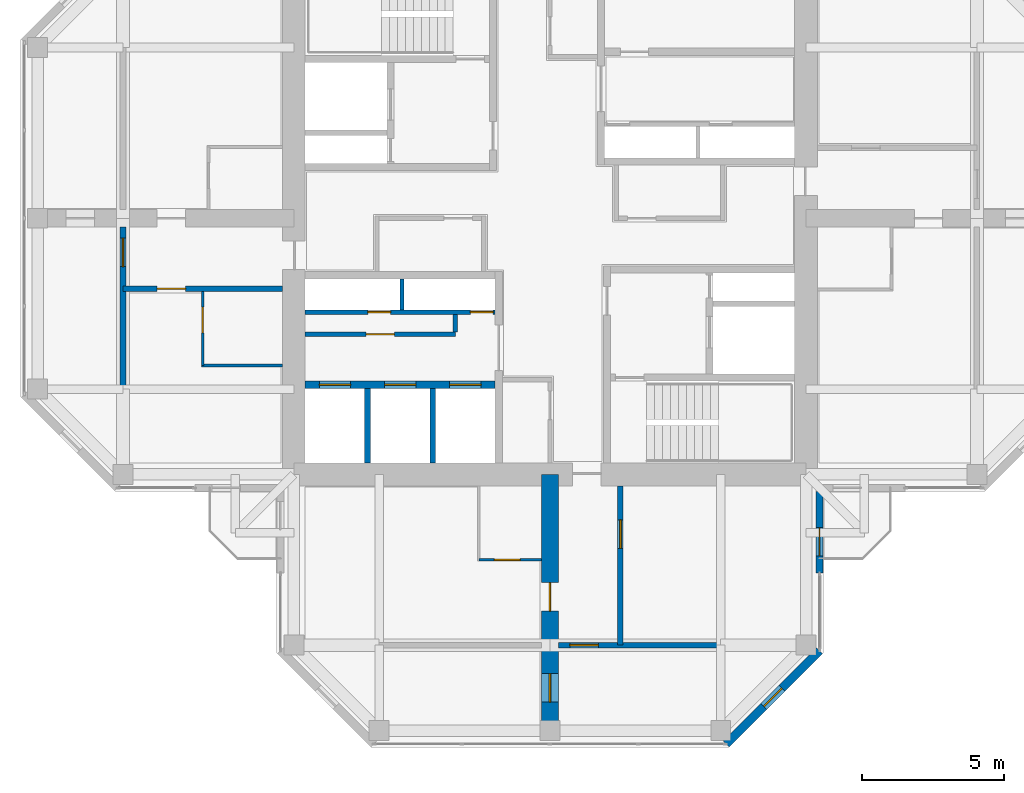
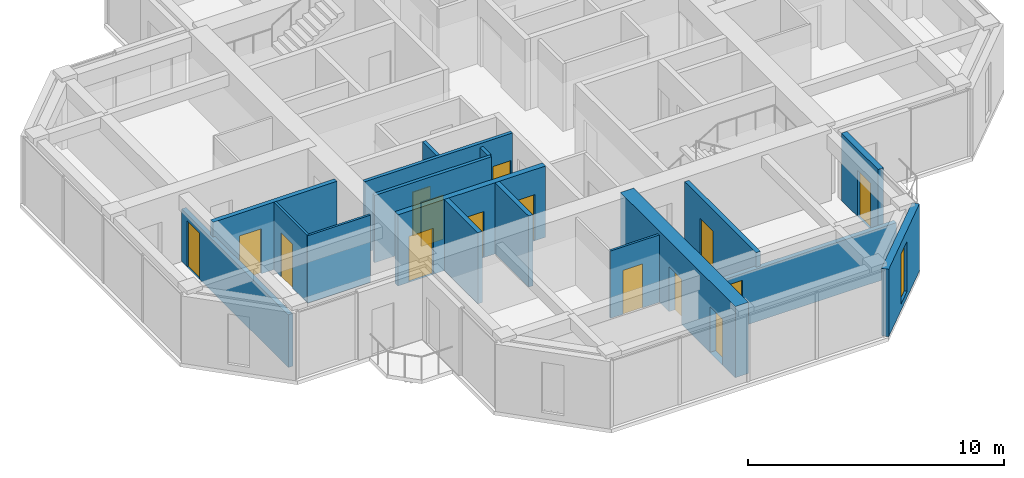
# One storey, part 8 of 13: 17 walls, 15 doors, 1 window, 16 openings.
"""IFC4 building model written with IfcOpenShell, lengths in metres."""

from ifc_helpers import new_model, si_unit, direction, frame, frame_2d, origin, place, context, subcontext, project, spatial, rectangle, hollow_rectangle, extrude, material, layer, layer_set, constituent, constituent_set, type_object, element, fill, save


model = new_model("IFC4")

# Units and contexts
model_context = context("Model", 3, precision=1e-05, world=origin(), true_north=direction((0.0, 1.0)))
body_context = subcontext(model_context, "Body", "Model", "MODEL_VIEW")
ifc_project = project(units=[si_unit("LENGTHUNIT", "METRE"), si_unit("AREAUNIT", "SQUARE_METRE"), si_unit("VOLUMEUNIT", "CUBIC_METRE"), si_unit("PLANEANGLEUNIT", "RADIAN"), si_unit("MASSUNIT", "GRAM", prefix="KILO")], contexts=[model_context])

# Site, building, storey
site_placement = place(None, origin())
site = spatial("IfcSite", under=ifc_project, at=site_placement, CompositionType="ELEMENT")
building_placement = place(site_placement, origin())
building = spatial("IfcBuilding", under=site, at=building_placement, Name="Torre Cruceta", CompositionType="ELEMENT")
storey_placement = place(building_placement, frame((0.0, 0.0, 274.699951171875)))
storey = spatial("IfcBuildingStorey", under=building, at=storey_placement, Name="L71", CompositionType="ELEMENT", Elevation=274.699951171875)

# Wall, opening, door
ifc_material_1 = material(Name="Water-resistant plasterboard on steel studs", Category="steel")
ifc_layer_1 = layer(ifc_material_1, 0.10009765625)
ifc_layer_set_1 = layer_set([ifc_layer_1], Name="Water-resistant plasterboard on steel studs")
wall_type_1 = type_object("IfcWallType", Name="BATHROOM WALL 100", PredefinedType="PARTITIONING", material=ifc_layer_set_1)
wall_1_placement = place(storey_placement, frame((-2.5, -12.0, 0.0), z_axis=(0.0, 0.0, 1.0), x_axis=(1.0, 0.0, 0.0)))
wall_1 = element("IfcWall", 1, at=wall_1_placement, inside=storey, type_object=wall_type_1, Name="PT4 L71-S-U1RBS", PredefinedType="PARTITIONING", context=body_context, shape_type="SweptSolid", body=[
    extrude(rectangle(XDim=2.199951171875, YDim=0.10009765625, at=frame_2d((1.10009765625, 0.0))), origin(), (0.0, 0.0, 1.0), 3.219970703125),
])
opening_1_placement = place(wall_1_placement, frame((0.550048828125, 0.0, 0.0)))
opening_1 = element("IfcOpeningElement", 2, at=opening_1_placement, cuts=wall_1, Name="Opening D7", PredefinedType="OPENING", context=body_context, shape_type="SweptSolid", body=[
    extrude(rectangle(XDim=0.89990234375, YDim=2.10009765625, at=frame_2d((0.449951171875, 1.050048828125))), frame((0.0, 0.06005859375, 0.0), z_axis=(0.0, -1.0, 0.0), x_axis=(1.0, 0.0, 0.0)), (0.0, 0.0, 1.0), 0.1201171875),
])
ifc_material_2 = material(Name="Timber door", Category="wood")
door_type_1 = type_object("IfcDoorType", Name="BATHROOM DOOR 900X2100", OperationType="SINGLE_SWING_LEFT", PredefinedType="DOOR", material=ifc_material_2)
door_1_placement = place(opening_1_placement, origin())
door_1 = element("IfcDoor", 3, at=door_1_placement, inside=storey, type_object=door_type_1, Name="D7 L71-S-U1RBS-D1", OperationType="SINGLE_SWING_LEFT", OverallHeight=2.10009765625, OverallWidth=0.89990234375, PredefinedType="DOOR", context=body_context, shape_type="SweptSolid", body=[
    extrude(rectangle(XDim=0.89990234375, YDim=2.10009765625, at=frame_2d((0.449951171875, 1.050048828125))), frame((0.0, 0.02490234375, 0.0), z_axis=(0.0, -1.0, 0.0), x_axis=(1.0, 0.0, 0.0)), (0.0, 0.0, 1.0), 0.050048828125),
])
fill(opening_1, door_1)

# Wall
wall_2_placement = place(storey_placement, frame((-9.39990234375, -5.175048828125, 0.0), z_axis=(0.0, 0.0, 1.0), x_axis=(-1.0, 0.0, 0.0)))
element("IfcWall", 4, at=wall_2_placement, inside=storey, type_object=wall_type_1, Name="PT4 L71-W-U1LBB", PredefinedType="PARTITIONING", context=body_context, shape_type="SweptSolid", body=[
    extrude(rectangle(XDim=2.85009765625, YDim=0.10009765625, at=frame_2d((1.425048828125, 0.0))), origin(), (0.0, 0.0, 1.0), 3.219970703125),
])

# Wall, opening, door
wall_3_placement = place(storey_placement, frame((-12.199951171875, -2.574951171875, 0.0), z_axis=(0.0, 0.0, 1.0), x_axis=(0.0, -1.0, 0.0)))
wall_3 = element("IfcWall", 5, at=wall_3_placement, inside=storey, type_object=wall_type_1, Name="PT4 L71-W-U1LBS", PredefinedType="PARTITIONING", context=body_context, shape_type="SweptSolid", body=[
    extrude(rectangle(XDim=2.60009765625, YDim=0.10009765625, at=frame_2d((1.300048828125, 0.0))), origin(), (0.0, 0.0, 1.0), 3.219970703125),
])
opening_2_placement = place(wall_3_placement, frame((0.550048828125, 0.0, 0.0)))
opening_2 = element("IfcOpeningElement", 6, at=opening_2_placement, cuts=wall_3, Name="Opening D7", PredefinedType="OPENING", context=body_context, shape_type="SweptSolid", body=[
    extrude(rectangle(XDim=0.89990234375, YDim=2.10009765625, at=frame_2d((0.449951171875, 1.050048828125))), frame((0.0, 0.06005859375, 0.0), z_axis=(0.0, -1.0, 0.0), x_axis=(1.0, 0.0, 0.0)), (0.0, 0.0, 1.0), 0.1201171875),
])
door_2_placement = place(opening_2_placement, origin())
door_2 = element("IfcDoor", 7, at=door_2_placement, inside=storey, type_object=door_type_1, Name="D7 L71-W-U1LBS-D1", OperationType="SINGLE_SWING_LEFT", OverallHeight=2.10009765625, OverallWidth=0.89990234375, PredefinedType="DOOR", context=body_context, shape_type="SweptSolid", body=[
    extrude(rectangle(XDim=0.89990234375, YDim=2.10009765625, at=frame_2d((0.449951171875, 1.050048828125))), frame((0.0, 0.02490234375, 0.0), z_axis=(0.0, -1.0, 0.0), x_axis=(1.0, 0.0, 0.0)), (0.0, 0.0, 1.0), 0.050048828125),
])
fill(opening_2, door_2)

# Wall, openings, doors
ifc_material_3 = material(Name="Concrete G60 (fck 60 MPa)", Category="concrete")
ifc_layer_2 = layer(ifc_material_3, 0.25)
ifc_layer_set_2 = layer_set([ifc_layer_2], Name="Concrete G60 (fck 60 MPa)")
wall_type_2 = type_object("IfcWallType", Name="CORE INNER WALL 250 G60", PredefinedType="SHEAR", material=ifc_layer_set_2)
wall_4_placement = place(storey_placement, frame((-1.925048828125, -5.85009765625, 0.0), z_axis=(0.0, 0.0, 1.0), x_axis=(-1.0, 0.0, 0.0)))
wall_4 = element("IfcWall", 8, at=wall_4_placement, inside=storey, type_object=wall_type_2, Name="CW4 L71 SW-LV", PredefinedType="SHEAR", context=body_context, shape_type="SweptSolid", body=[
    extrude(rectangle(XDim=6.675048828125, YDim=0.25, at=frame_2d((3.33740234375, 0.0))), origin(), (0.0, 0.0, 1.0), 3.400146484375),
])
opening_3_placement = place(wall_4_placement, frame((0.495849609375, 0.0, 0.0)))
opening_3 = element("IfcOpeningElement", 9, at=opening_3_placement, cuts=wall_4, Name="Opening LD1", PredefinedType="OPENING", context=body_context, shape_type="SweptSolid", body=[
    extrude(rectangle(XDim=1.10009765625, YDim=2.199951171875, at=frame_2d((0.550048828125, 1.10009765625))), frame((0.0, 0.135009765625, 0.0), z_axis=(0.0, -1.0, 0.0), x_axis=(1.0, 0.0, 0.0)), (0.0, 0.0, 1.0), 0.27001953125),
])
opening_4_placement = place(wall_4_placement, frame((2.78759765625, 0.0, 0.0)))
opening_4 = element("IfcOpeningElement", 10, at=opening_4_placement, cuts=wall_4, Name="Opening LD1", PredefinedType="OPENING", context=body_context, shape_type="SweptSolid", body=[
    extrude(rectangle(XDim=1.10009765625, YDim=2.199951171875, at=frame_2d((0.550048828125, 1.10009765625))), frame((0.0, 0.135009765625, 0.0), z_axis=(0.0, -1.0, 0.0), x_axis=(1.0, 0.0, 0.0)), (0.0, 0.0, 1.0), 0.27001953125),
])
opening_5_placement = place(wall_4_placement, frame((5.0791015625, 0.0, 0.0)))
opening_5 = element("IfcOpeningElement", 11, at=opening_5_placement, cuts=wall_4, Name="Opening LD1", PredefinedType="OPENING", context=body_context, shape_type="SweptSolid", body=[
    extrude(rectangle(XDim=1.10009765625, YDim=2.199951171875, at=frame_2d((0.550048828125, 1.10009765625))), frame((0.0, 0.135009765625, 0.0), z_axis=(0.0, -1.0, 0.0), x_axis=(1.0, 0.0, 0.0)), (0.0, 0.0, 1.0), 0.27001953125),
])
ifc_material_4 = material(Name="Stainless steel 1.4401", Category="steel")
door_type_2 = type_object("IfcDoorType", Name="LIFT LANDING DOOR 1100X2200", OperationType="DOUBLE_DOOR_SLIDING", PredefinedType="DOOR", material=ifc_material_4)
door_3_placement = place(opening_3_placement, origin())
door_3 = element("IfcDoor", 12, at=door_3_placement, inside=storey, type_object=door_type_2, Name="Lift landing door R1", OperationType="DOUBLE_DOOR_SLIDING", OverallHeight=2.199951171875, OverallWidth=1.10009765625, PredefinedType="DOOR", context=body_context, shape_type="SweptSolid", body=[
    extrude(rectangle(XDim=1.10009765625, YDim=2.199951171875, at=frame_2d((0.550048828125, 1.10009765625))), frame((0.0, 0.02490234375, 0.0), z_axis=(0.0, -1.0, 0.0), x_axis=(1.0, 0.0, 0.0)), (0.0, 0.0, 1.0), 0.050048828125),
])
fill(opening_3, door_3)
door_4_placement = place(opening_4_placement, origin())
door_4 = element("IfcDoor", 13, at=door_4_placement, inside=storey, type_object=door_type_2, Name="Lift landing door R2", OperationType="DOUBLE_DOOR_SLIDING", OverallHeight=2.199951171875, OverallWidth=1.10009765625, PredefinedType="DOOR", context=body_context, shape_type="SweptSolid", body=[
    extrude(rectangle(XDim=1.10009765625, YDim=2.199951171875, at=frame_2d((0.550048828125, 1.10009765625))), frame((0.0, 0.02490234375, 0.0), z_axis=(0.0, -1.0, 0.0), x_axis=(1.0, 0.0, 0.0)), (0.0, 0.0, 1.0), 0.050048828125),
])
fill(opening_4, door_4)
door_5_placement = place(opening_5_placement, origin())
door_5 = element("IfcDoor", 14, at=door_5_placement, inside=storey, type_object=door_type_2, Name="Lift landing door R3", OperationType="DOUBLE_DOOR_SLIDING", OverallHeight=2.199951171875, OverallWidth=1.10009765625, PredefinedType="DOOR", context=body_context, shape_type="SweptSolid", body=[
    extrude(rectangle(XDim=1.10009765625, YDim=2.199951171875, at=frame_2d((0.550048828125, 1.10009765625))), frame((0.0, 0.02490234375, 0.0), z_axis=(0.0, -1.0, 0.0), x_axis=(1.0, 0.0, 0.0)), (0.0, 0.0, 1.0), 0.050048828125),
])
fill(opening_5, door_5)

# Wall, opening, door
ifc_material_5 = material(Name="Concrete G25 (fck 25 MPa)", Category="concrete")
ifc_layer_3 = layer(ifc_material_5, 0.199951171875)
ifc_layer_set_3 = layer_set([ifc_layer_3], Name="Concrete G25 (fck 25 MPa)")
wall_type_3 = type_object("IfcWallType", Name="CORRIDOR WALL 200", PredefinedType="SOLIDWALL", material=ifc_layer_set_3)
wall_5_placement = place(storey_placement, frame((2.47509765625, -9.39990234375, 0.0), z_axis=(0.0, 0.0, 1.0), x_axis=(0.0, -1.0, 0.0)))
wall_5 = element("IfcWall", 15, at=wall_5_placement, inside=storey, type_object=wall_type_3, Name="PT3 L71-S-CL", PredefinedType="SOLIDWALL", context=body_context, shape_type="SweptSolid", body=[
    extrude(rectangle(XDim=5.60009765625, YDim=0.199951171875, at=frame_2d((2.800048828125, 0.0))), origin(), (0.0, 0.0, 1.0), 3.219970703125),
])
opening_6_placement = place(wall_5_placement, frame((1.199951171875, 0.0, 0.0)))
opening_6 = element("IfcOpeningElement", 16, at=opening_6_placement, cuts=wall_5, Name="Opening D14", PredefinedType="OPENING", context=body_context, shape_type="SweptSolid", body=[
    extrude(rectangle(XDim=1.0, YDim=2.199951171875, at=frame_2d((0.5, 1.10009765625))), frame((0.0, 0.10986328125, 0.0), z_axis=(0.0, -1.0, 0.0), x_axis=(1.0, 0.0, 0.0)), (0.0, 0.0, 1.0), 0.219970703125),
])
ifc_material_6 = material(Name="Steel DX51D", Category="steel")
ifc_constituent_1 = constituent(ifc_material_6, Name="Leaf and frame")
ifc_material_7 = material(Name="Polyester powder coating", Category="paint")
ifc_constituent_2 = constituent(ifc_material_7, Name="Finish")
ifc_material_8 = material(Name="Fire-resisting glass", Category="glass")
ifc_constituent_3 = constituent(ifc_material_8, Name="Vision panel")
ifc_constituent_set_1 = constituent_set(constituents=[ifc_constituent_1, ifc_constituent_2, ifc_constituent_3], Name="Steel fire door with vision panel")
door_type_3 = type_object("IfcDoorType", Name="FIRE DOOR VISION PANEL 1000X2200", OperationType="SINGLE_SWING_RIGHT", PredefinedType="DOOR", material=ifc_constituent_set_1)
door_6_placement = place(opening_6_placement, origin())
door_6 = element("IfcDoor", 17, at=door_6_placement, inside=storey, type_object=door_type_3, Name="D14 L71-S-CL-D1", OperationType="SINGLE_SWING_LEFT", OverallHeight=2.199951171875, OverallWidth=1.0, PredefinedType="DOOR", context=body_context, shape_type="SweptSolid", body=[
    extrude(rectangle(XDim=1.0, YDim=2.199951171875, at=frame_2d((0.5, 1.10009765625))), frame((0.0, 0.02490234375, 0.0), z_axis=(0.0, -1.0, 0.0), x_axis=(1.0, 0.0, 0.0)), (0.0, 0.0, 1.0), 0.050048828125),
])
fill(opening_6, door_6)

wall_6_placement = place(storey_placement, frame((-9.39990234375, -2.47509765625, 0.0), z_axis=(0.0, 0.0, 1.0), x_axis=(-1.0, 0.0, 0.0)))
wall_6 = element("IfcWall", 18, at=wall_6_placement, inside=storey, type_object=wall_type_3, Name="PT3 L71-W-CL", PredefinedType="SOLIDWALL", context=body_context, shape_type="SweptSolid", body=[
    extrude(rectangle(XDim=5.60009765625, YDim=0.199951171875, at=frame_2d((2.800048828125, 0.0))), origin(), (0.0, 0.0, 1.0), 3.219970703125),
])
opening_7_placement = place(wall_6_placement, frame((3.39990234375, 0.0, 0.0)))
opening_7 = element("IfcOpeningElement", 19, at=opening_7_placement, cuts=wall_6, Name="Opening D6", PredefinedType="OPENING", context=body_context, shape_type="SweptSolid", body=[
    extrude(rectangle(XDim=1.0, YDim=2.14990234375, at=frame_2d((0.5, 1.074951171875))), frame((0.0, 0.10986328125, 0.0), z_axis=(0.0, -1.0, 0.0), x_axis=(1.0, 0.0, 0.0)), (0.0, 0.0, 1.0), 0.219970703125),
])
ifc_material_9 = material(Name="Timber fire door", Category="wood")
door_type_4 = type_object("IfcDoorType", Name="UNIT ENTRANCE DOOR 1000X2150", OperationType="SINGLE_SWING_LEFT", PredefinedType="DOOR", material=ifc_material_9)
door_7_placement = place(opening_7_placement, origin())
door_7 = element("IfcDoor", 20, at=door_7_placement, inside=storey, type_object=door_type_4, Name="D6 L71-W-CL-D1", OperationType="SINGLE_SWING_LEFT", OverallHeight=2.14990234375, OverallWidth=1.0, PredefinedType="DOOR", context=body_context, shape_type="SweptSolid", body=[
    extrude(rectangle(XDim=1.0, YDim=2.14990234375, at=frame_2d((0.5, 1.074951171875))), frame((0.0, 0.02490234375, 0.0), z_axis=(0.0, -1.0, 0.0), x_axis=(1.0, 0.0, 0.0)), (0.0, 0.0, 1.0), 0.050048828125),
])
fill(opening_7, door_7)

# Wall, opening, window
ifc_material_10 = material(Name="Concrete G30 (fck 30 MPa)", Category="concrete")
ifc_layer_4 = layer(ifc_material_10, 0.300048828125)
ifc_layer_set_4 = layer_set([ifc_layer_4], Name="Concrete G30 (fck 30 MPa)")
wall_type_4 = type_object("IfcWallType", Name="EXPOSED CONCRETE FACADE WALL 300", PredefinedType="SOLIDWALL", material=ifc_layer_set_4)
wall_7_placement = place(storey_placement, frame((6.194580078125, -18.469970703125, 0.0), z_axis=(0.0, 0.0, 1.0), x_axis=(0.707106781187, 0.707106781187, 0.0)))
wall_7 = element("IfcWall", 21, at=wall_7_placement, inside=storey, type_object=wall_type_4, Name="EW1 facade wall L71 S chamfer 18", PredefinedType="SOLIDWALL", context=body_context, shape_type="SweptSolid", body=[
    extrude(rectangle(XDim=4.632080078125, YDim=0.300048828125, at=frame_2d((2.31591796875, 0.0))), origin(), (0.0, 0.0, 1.0), 3.219970703125),
])
opening_8_placement = place(wall_7_placement, frame((1.865966796875, 0.0, 0.300048828125)))
opening_8 = element("IfcOpeningElement", 22, at=opening_8_placement, cuts=wall_7, Name="Opening WN5", PredefinedType="OPENING", context=body_context, shape_type="SweptSolid", body=[
    extrude(rectangle(XDim=0.89990234375, YDim=2.39990234375, at=frame_2d((0.449951171875, 1.199951171875))), frame((0.0, 0.159912109375, 0.0), z_axis=(0.0, -1.0, 0.0), x_axis=(1.0, 0.0, 0.0)), (0.0, 0.0, 1.0), 0.320068359375),
])
ifc_material_11 = material(Name="Aluminium window frame", Category="aluminium")
ifc_constituent_4 = constituent(ifc_material_11, Name="Frame")
ifc_material_12 = material(Name="Laminated insulating glass unit, low-iron clear", Category="glass")
ifc_constituent_5 = constituent(ifc_material_12, Name="Glazing")
ifc_constituent_set_2 = constituent_set(constituents=[ifc_constituent_4, ifc_constituent_5], Name="Aluminium window")
window_type = type_object("IfcWindowType", Name="CHAMFER SLOT WINDOW 900X2400", PartitioningType="SINGLE_PANEL", PredefinedType="WINDOW", material=ifc_constituent_set_2)
window_placement = place(opening_8_placement, origin())
window = element("IfcWindow", 23, at=window_placement, inside=storey, type_object=window_type, Name="WN5 L71 S 1", OverallHeight=2.39990234375, OverallWidth=0.89990234375, PartitioningType="SINGLE_PANEL", PredefinedType="WINDOW", context=body_context, shape_type="SweptSolid", body=[
    extrude(hollow_rectangle(XDim=0.89990234375, YDim=2.39990234375, WallThickness=0.06005859375, at=frame_2d((0.449951171875, 1.199951171875))), frame((0.0, 0.030029296875, 0.0), z_axis=(0.0, -1.0, 0.0), x_axis=(1.0, 0.0, 0.0)), (0.0, 0.0, 1.0), 0.06005859375),
    extrude(rectangle(XDim=0.77880859375, YDim=2.27880859375, at=frame_2d((0.449951171875, 1.199951171875))), frame((0.0, 0.030029296875, 0.0), z_axis=(0.0, -1.0, 0.0), x_axis=(1.0, 0.0, 0.0)), (0.0, 0.0, 1.0), 0.06005859375),
])
fill(opening_8, window)

# Walls
ifc_material_13 = material(Name="Concrete G35 (fck 35 MPa)", Category="concrete")
ifc_layer_5 = layer(ifc_material_13, 0.199951171875)
ifc_layer_set_5 = layer_set([ifc_layer_5], Name="Concrete G35 (fck 35 MPa)")
wall_type_5 = type_object("IfcWallType", Name="LIFT SHAFT WALL 200", PredefinedType="PARTITIONING", material=ifc_layer_set_5)
for number, where, z_axis, x_axis, name in (
    (24, (-4.11669921875, -5.97509765625, 0.0), (0.0, 0.0, 1.0), (0.0, -1.0, 0.0), "SW1 L71 SW-LS1"),
    (25, (-6.408447265625, -5.97509765625, 0.0), (0.0, 0.0, 1.0), (0.0, -1.0, 0.0), "SW1 L71 SW-LS2"),
):
    element("IfcWall", number, at=place(storey_placement, frame(where, z_axis=z_axis, x_axis=x_axis)), inside=storey, type_object=wall_type_5, Name=name, PredefinedType="PARTITIONING", context=body_context, shape_type="SweptSolid", body=[
        extrude(rectangle(XDim=2.625, YDim=0.199951171875, at=frame_2d((1.3125, 0.0))), origin(), (0.0, 0.0, 1.0), 3.400146484375),
    ])

# Wall, opening, door
ifc_material_14 = material(Name="Plasterboard on steel studs", Category="steel")
ifc_layer_6 = layer(ifc_material_14, 0.14990234375)
ifc_layer_set_6 = layer_set([ifc_layer_6], Name="Plasterboard on steel studs")
wall_type_6 = type_object("IfcWallType", Name="PARTITION 150", PredefinedType="PARTITIONING", material=ifc_layer_set_6)
wall_8_placement = place(storey_placement, frame((-3.324951171875, -4.074951171875, 0.0), z_axis=(0.0, 0.0, 1.0), x_axis=(-1.0, 0.0, 0.0)))
wall_8 = element("IfcWall", 26, at=wall_8_placement, inside=storey, type_object=wall_type_6, Name="PT1 L71-CORE-SW-CUPBOARD", PredefinedType="PARTITIONING", context=body_context, shape_type="SweptSolid", body=[
    extrude(rectangle(XDim=5.275146484375, YDim=0.14990234375, at=frame_2d((2.6376953125, 0.0))), origin(), (0.0, 0.0, 1.0), 3.219970703125),
])
opening_9_placement = place(wall_8_placement, frame((2.137451171875, 0.0, 0.0)))
opening_9 = element("IfcOpeningElement", 27, at=opening_9_placement, cuts=wall_8, Name="Opening D19", PredefinedType="OPENING", context=body_context, shape_type="SweptSolid", body=[
    extrude(rectangle(XDim=1.0, YDim=2.10009765625, at=frame_2d((0.5, 1.050048828125))), frame((0.0, 0.0849609375, 0.0), z_axis=(0.0, -1.0, 0.0), x_axis=(1.0, 0.0, 0.0)), (0.0, 0.0, 1.0), 0.169921875),
])
ifc_material_15 = material(Name="Timber fire door", Category="wood")
door_type_5 = type_object("IfcDoorType", Name="CUPBOARD PAIR OF DOORS 1000X2100", OperationType="DOUBLE_DOOR_SINGLE_SWING", PredefinedType="DOOR", material=ifc_material_15)
door_8_placement = place(opening_9_placement, frame((1.0, 0.0, 0.0), z_axis=(0.0, 0.0, 1.0), x_axis=(-1.0, 0.0, 0.0)))
door_8 = element("IfcDoor", 28, at=door_8_placement, inside=storey, type_object=door_type_5, Name="D19 L71-CORE-SW-CUPBOARD-D1", OperationType="DOUBLE_DOOR_SINGLE_SWING", OverallHeight=2.10009765625, OverallWidth=1.0, PredefinedType="DOOR", context=body_context, shape_type="SweptSolid", body=[
    extrude(rectangle(XDim=1.0, YDim=2.10009765625, at=frame_2d((0.5, 1.050048828125))), frame((0.0, 0.025146484375, 0.0), z_axis=(0.0, -1.0, 0.0), x_axis=(1.0, 0.0, 0.0)), (0.0, 0.0, 1.0), 0.050048828125),
])
fill(opening_9, door_8)

# Wall
wall_9_placement = place(storey_placement, frame((-3.324951171875, -3.375, 0.0), z_axis=(0.0, 0.0, 1.0), x_axis=(0.0, -1.0, 0.0)))
element("IfcWall", 29, at=wall_9_placement, inside=storey, type_object=wall_type_6, Name="PT1 L71-CORE-SW-CUPBOARDE", PredefinedType="PARTITIONING", context=body_context, shape_type="SweptSolid", body=[
    extrude(rectangle(XDim=0.625, YDim=0.14990234375, at=frame_2d((0.3125, 0.0))), origin(), (0.0, 0.0, 1.0), 3.219970703125),
])

# Wall, openings, doors
ifc_material_16 = material(Name="Concrete block masonry", Category="masonry")
ifc_layer_7 = layer(ifc_material_16, 0.14990234375)
ifc_layer_set_7 = layer_set([ifc_layer_7], Name="Concrete block masonry")
wall_type_7 = type_object("IfcWallType", Name="RISER WALL 150", PredefinedType="PARTITIONING", material=ifc_layer_set_7)
wall_10_placement = place(storey_placement, frame((-1.925048828125, -3.300048828125, 0.0), z_axis=(0.0, 0.0, 1.0), x_axis=(-1.0, 0.0, 0.0)))
wall_10 = element("IfcWall", 30, at=wall_10_placement, inside=storey, type_object=wall_type_7, Name="SW7 L71 SW-RV", PredefinedType="PARTITIONING", context=body_context, shape_type="SweptSolid", body=[
    extrude(rectangle(XDim=6.675048828125, YDim=0.14990234375, at=frame_2d((3.33740234375, 0.0))), origin(), (0.0, 0.0, 1.0), 3.400146484375),
])
opening_10_placement = place(wall_10_placement, frame((0.074951171875, 0.0, 0.0)))
opening_10 = element("IfcOpeningElement", 31, at=opening_10_placement, cuts=wall_10, Name="Opening D5", PredefinedType="OPENING", context=body_context, shape_type="SweptSolid", body=[
    extrude(rectangle(XDim=0.800048828125, YDim=2.10009765625, at=frame_2d((0.39990234375, 1.050048828125))), frame((0.0, 0.0849609375, 0.0), z_axis=(0.0, -1.0, 0.0), x_axis=(1.0, 0.0, 0.0)), (0.0, 0.0, 1.0), 0.169921875),
])
opening_11_placement = place(wall_10_placement, frame((3.675048828125, 0.0, 0.0)))
opening_11 = element("IfcOpeningElement", 32, at=opening_11_placement, cuts=wall_10, Name="Opening D5", PredefinedType="OPENING", context=body_context, shape_type="SweptSolid", body=[
    extrude(rectangle(XDim=0.800048828125, YDim=2.10009765625, at=frame_2d((0.39990234375, 1.050048828125))), frame((0.0, 0.0849609375, 0.0), z_axis=(0.0, -1.0, 0.0), x_axis=(1.0, 0.0, 0.0)), (0.0, 0.0, 1.0), 0.169921875),
])
ifc_material_17 = material(Name="Steel DX51D", Category="steel")
ifc_constituent_6 = constituent(ifc_material_17, Name="Leaf and frame")
ifc_material_18 = material(Name="Polyester powder coating", Category="paint")
ifc_constituent_7 = constituent(ifc_material_18, Name="Finish")
ifc_constituent_set_3 = constituent_set(constituents=[ifc_constituent_6, ifc_constituent_7], Name="Steel fire door")
door_type_6 = type_object("IfcDoorType", Name="RISER ACCESS DOOR 800X2100", OperationType="SINGLE_SWING_LEFT", PredefinedType="DOOR", material=ifc_constituent_set_3)
door_9_placement = place(opening_10_placement, frame((0.800048828125, 0.0, 0.0), z_axis=(0.0, 0.0, 1.0), x_axis=(-1.0, 0.0, 0.0)))
door_9 = element("IfcDoor", 33, at=door_9_placement, inside=storey, type_object=door_type_6, Name="D5 L71 SW-RISER1", OperationType="SINGLE_SWING_RIGHT", OverallHeight=2.10009765625, OverallWidth=0.800048828125, PredefinedType="DOOR", context=body_context, shape_type="SweptSolid", body=[
    extrude(rectangle(XDim=0.800048828125, YDim=2.10009765625, at=frame_2d((0.400146484375, 1.050048828125))), frame((0.0, 0.025146484375, 0.0), z_axis=(0.0, -1.0, 0.0), x_axis=(1.0, 0.0, 0.0)), (0.0, 0.0, 1.0), 0.050048828125),
])
fill(opening_10, door_9)
door_10_placement = place(opening_11_placement, frame((0.800048828125, 0.0, 0.0), z_axis=(0.0, 0.0, 1.0), x_axis=(-1.0, 0.0, 0.0)))
door_10 = element("IfcDoor", 34, at=door_10_placement, inside=storey, type_object=door_type_6, Name="D5 L71 SW-RISER2", OperationType="SINGLE_SWING_RIGHT", OverallHeight=2.10009765625, OverallWidth=0.800048828125, PredefinedType="DOOR", context=body_context, shape_type="SweptSolid", body=[
    extrude(rectangle(XDim=0.800048828125, YDim=2.10009765625, at=frame_2d((0.400146484375, 1.050048828125))), frame((0.0, 0.025146484375, 0.0), z_axis=(0.0, -1.0, 0.0), x_axis=(1.0, 0.0, 0.0)), (0.0, 0.0, 1.0), 0.050048828125),
])
fill(opening_11, door_10)

# Wall
wall_11_placement = place(storey_placement, frame((-5.199951171875, -2.125, 0.0), z_axis=(0.0, 0.0, 1.0), x_axis=(0.0, -1.0, 0.0)))
element("IfcWall", 35, at=wall_11_placement, inside=storey, type_object=wall_type_7, Name="SW7 L71 SW-RU", PredefinedType="PARTITIONING", context=body_context, shape_type="SweptSolid", body=[
    extrude(rectangle(XDim=1.10009765625, YDim=0.14990234375, at=frame_2d((0.550048828125, 0.0))), origin(), (0.0, 0.0, 1.0), 3.400146484375),
])

# Wall, openings, doors
ifc_material_19 = material(Name="Concrete G60 (fck 60 MPa)", Category="concrete")
ifc_layer_8 = layer(ifc_material_19, 0.60009765625)
ifc_layer_set_8 = layer_set([ifc_layer_8], Name="Concrete G60 (fck 60 MPa)")
wall_type_8 = type_object("IfcWallType", Name="SPINE WALL 600 G60", PredefinedType="SHEAR", material=ifc_layer_set_8)
wall_12_placement = place(storey_placement, frame((0.0, -9.0, 0.0), z_axis=(0.0, 0.0, 1.0), x_axis=(0.0, -1.0, 0.0)))
wall_12 = element("IfcWall", 36, at=wall_12_placement, inside=storey, type_object=wall_type_8, Name="SW5 spine wall L71 S", PredefinedType="SHEAR", context=body_context, shape_type="SweptSolid", body=[
    extrude(rectangle(XDim=9.0, YDim=0.60009765625, at=frame_2d((4.5, 0.0))), origin(), (0.0, 0.0, 1.0), 3.400146484375),
])
opening_12_placement = place(wall_12_placement, frame((3.800048828125, 0.0, 0.0)))
opening_12 = element("IfcOpeningElement", 37, at=opening_12_placement, cuts=wall_12, Name="Opening D6", PredefinedType="OPENING", context=body_context, shape_type="SweptSolid", body=[
    extrude(rectangle(XDim=1.0, YDim=2.14990234375, at=frame_2d((0.5, 1.074951171875))), frame((0.0, 0.31005859375, 0.0), z_axis=(0.0, -1.0, 0.0), x_axis=(1.0, 0.0, 0.0)), (0.0, 0.0, 1.0), 0.6201171875),
])
opening_13_placement = place(wall_12_placement, frame((7.0, 0.0, 0.0)))
opening_13 = element("IfcOpeningElement", 38, at=opening_13_placement, cuts=wall_12, Name="Opening D14", PredefinedType="OPENING", context=body_context, shape_type="SweptSolid", body=[
    extrude(rectangle(XDim=1.0, YDim=2.199951171875, at=frame_2d((0.5, 1.10009765625))), frame((0.0, 0.31005859375, 0.0), z_axis=(0.0, -1.0, 0.0), x_axis=(1.0, 0.0, 0.0)), (0.0, 0.0, 1.0), 0.6201171875),
])
door_11_placement = place(opening_13_placement, origin())
door_11 = element("IfcDoor", 39, at=door_11_placement, inside=storey, type_object=door_type_3, Name="D14 L71-S-SP2", OperationType="SINGLE_SWING_LEFT", OverallHeight=2.199951171875, OverallWidth=1.0, PredefinedType="DOOR", context=body_context, shape_type="SweptSolid", body=[
    extrude(rectangle(XDim=1.0, YDim=2.199951171875, at=frame_2d((0.5, 1.10009765625))), frame((0.0, 0.02490234375, 0.0), z_axis=(0.0, -1.0, 0.0), x_axis=(1.0, 0.0, 0.0)), (0.0, 0.0, 1.0), 0.050048828125),
])
fill(opening_13, door_11)
door_12_placement = place(opening_12_placement, frame((1.0, 0.0, 0.0), z_axis=(0.0, 0.0, 1.0), x_axis=(-1.0, 0.0, 0.0)))
door_12 = element("IfcDoor", 40, at=door_12_placement, inside=storey, type_object=door_type_4, Name="D6 L71-S-SP1", OperationType="SINGLE_SWING_RIGHT", OverallHeight=2.14990234375, OverallWidth=1.0, PredefinedType="DOOR", context=body_context, shape_type="SweptSolid", body=[
    extrude(rectangle(XDim=1.0, YDim=2.14990234375, at=frame_2d((0.5, 1.074951171875))), frame((0.0, 0.025146484375, 0.0), z_axis=(0.0, -1.0, 0.0), x_axis=(1.0, 0.0, 0.0)), (0.0, 0.0, 1.0), 0.050048828125),
])
fill(opening_12, door_12)

# Wall, opening, door
ifc_material_20 = material(Name="Concrete G25 (fck 25 MPa)", Category="concrete")
ifc_layer_9 = layer(ifc_material_20, 0.199951171875)
ifc_layer_set_9 = layer_set([ifc_layer_9], Name="Concrete G25 (fck 25 MPa)")
wall_type_9 = type_object("IfcWallType", Name="UNIT SEPARATING WALL 200", PredefinedType="SOLIDWALL", material=ifc_layer_set_9)
wall_13_placement = place(storey_placement, frame((0.300048828125, -15.0, 0.0), z_axis=(0.0, 0.0, 1.0), x_axis=(1.0, 0.0, 0.0)))
wall_13 = element("IfcWall", 41, at=wall_13_placement, inside=storey, type_object=wall_type_9, Name="PT2 L71-S-ENDb", PredefinedType="SOLIDWALL", context=body_context, shape_type="SweptSolid", body=[
    extrude(rectangle(XDim=8.349853515625, YDim=0.199951171875, at=frame_2d((4.1748046875, 0.0))), origin(), (0.0, 0.0, 1.0), 2.52001953125),
])
opening_14_placement = place(wall_13_placement, frame((0.39990234375, 0.0, 0.0)))
opening_14 = element("IfcOpeningElement", 42, at=opening_14_placement, cuts=wall_13, Name="Opening D14", PredefinedType="OPENING", context=body_context, shape_type="SweptSolid", body=[
    extrude(rectangle(XDim=1.0, YDim=2.199951171875, at=frame_2d((0.5, 1.10009765625))), frame((0.0, 0.10986328125, 0.0), z_axis=(0.0, -1.0, 0.0), x_axis=(1.0, 0.0, 0.0)), (0.0, 0.0, 1.0), 0.219970703125),
])
door_13_placement = place(opening_14_placement, frame((1.0, 0.0, 0.0), z_axis=(0.0, 0.0, 1.0), x_axis=(-1.0, 0.0, 0.0)))
door_13 = element("IfcDoor", 43, at=door_13_placement, inside=storey, type_object=door_type_3, Name="D14 L71-S-ENDb-D1", OperationType="SINGLE_SWING_LEFT", OverallHeight=2.199951171875, OverallWidth=1.0, PredefinedType="DOOR", context=body_context, shape_type="SweptSolid", body=[
    extrude(rectangle(XDim=1.0, YDim=2.199951171875, at=frame_2d((0.5, 1.10009765625))), frame((0.0, 0.025146484375, 0.0), z_axis=(0.0, -1.0, 0.0), x_axis=(1.0, 0.0, 0.0)), (0.0, 0.0, 1.0), 0.050048828125),
])
fill(opening_14, door_13)

wall_14_placement = place(storey_placement, frame((-15.0, -0.300048828125, 0.0), z_axis=(0.0, 0.0, 1.0), x_axis=(0.0, -1.0, 0.0)))
wall_14 = element("IfcWall", 44, at=wall_14_placement, inside=storey, type_object=wall_type_9, Name="PT2 L71-W-ENDb", PredefinedType="SOLIDWALL", context=body_context, shape_type="SweptSolid", body=[
    extrude(rectangle(XDim=8.349853515625, YDim=0.199951171875, at=frame_2d((4.1748046875, 0.0))), origin(), (0.0, 0.0, 1.0), 2.52001953125),
])
opening_15_placement = place(wall_14_placement, frame((0.39990234375, 0.0, 0.0)))
opening_15 = element("IfcOpeningElement", 45, at=opening_15_placement, cuts=wall_14, Name="Opening D14", PredefinedType="OPENING", context=body_context, shape_type="SweptSolid", body=[
    extrude(rectangle(XDim=1.0, YDim=2.199951171875, at=frame_2d((0.5, 1.10009765625))), frame((0.0, 0.10986328125, 0.0), z_axis=(0.0, -1.0, 0.0), x_axis=(1.0, 0.0, 0.0)), (0.0, 0.0, 1.0), 0.219970703125),
])
door_14_placement = place(opening_15_placement, frame((1.0, 0.0, 0.0), z_axis=(0.0, 0.0, 1.0), x_axis=(-1.0, 0.0, 0.0)))
door_14 = element("IfcDoor", 46, at=door_14_placement, inside=storey, type_object=door_type_3, Name="D14 L71-W-ENDb-D1", OperationType="SINGLE_SWING_LEFT", OverallHeight=2.199951171875, OverallWidth=1.0, PredefinedType="DOOR", context=body_context, shape_type="SweptSolid", body=[
    extrude(rectangle(XDim=1.0, YDim=2.199951171875, at=frame_2d((0.5, 1.10009765625))), frame((0.0, 0.025146484375, 0.0), z_axis=(0.0, -1.0, 0.0), x_axis=(1.0, 0.0, 0.0)), (0.0, 0.0, 1.0), 0.050048828125),
])
fill(opening_15, door_14)

ifc_material_21 = material(Name="Concrete G30 (fck 30 MPa)", Category="concrete")
ifc_layer_10 = layer(ifc_material_21, 0.25)
ifc_layer_set_10 = layer_set([ifc_layer_10], Name="Concrete G30 (fck 30 MPa)")
wall_type_10 = type_object("IfcWallType", Name="WINTER GARDEN WALL 250", PredefinedType="SOLIDWALL", material=ifc_layer_set_10)
wall_15_placement = place(storey_placement, frame((9.469970703125, -12.469970703125, 0.0), z_axis=(0.0, 0.0, 1.0), x_axis=(0.0, 1.0, 0.0)))
wall_15 = element("IfcWall", 47, at=wall_15_placement, inside=storey, type_object=wall_type_10, Name="EW2 winter garden wall L71 19", PredefinedType="SOLIDWALL", context=body_context, shape_type="SweptSolid", body=[
    extrude(rectangle(XDim=2.875, YDim=0.25, at=frame_2d((1.4375, 0.0))), origin(), (0.0, 0.0, 1.0), 3.219970703125),
])
opening_16_placement = place(wall_15_placement, frame((0.60009765625, 0.0, 0.0)))
opening_16 = element("IfcOpeningElement", 48, at=opening_16_placement, cuts=wall_15, Name="Opening D10", PredefinedType="OPENING", context=body_context, shape_type="SweptSolid", body=[
    extrude(rectangle(XDim=1.0, YDim=2.199951171875, at=frame_2d((0.5, 1.10009765625))), frame((0.0, 0.135009765625, 0.0), z_axis=(0.0, -1.0, 0.0), x_axis=(1.0, 0.0, 0.0)), (0.0, 0.0, 1.0), 0.27001953125),
])
ifc_material_22 = material(Name="Aluminium door frame", Category="aluminium")
ifc_constituent_8 = constituent(ifc_material_22, Name="Frame")
ifc_material_23 = material(Name="Laminated safety glass", Category="glass")
ifc_constituent_9 = constituent(ifc_material_23, Name="Glazing")
ifc_constituent_set_4 = constituent_set(constituents=[ifc_constituent_8, ifc_constituent_9], Name="Aluminium glazed door")
door_type_7 = type_object("IfcDoorType", Name="BALCONY DOOR 1000X2200", OperationType="SINGLE_SWING_RIGHT", PredefinedType="DOOR", material=ifc_constituent_set_4)
door_15_placement = place(opening_16_placement, origin())
door_15 = element("IfcDoor", 49, at=door_15_placement, inside=storey, type_object=door_type_7, Name="D10 balcony door L71 19", OperationType="SINGLE_SWING_RIGHT", OverallHeight=2.199951171875, OverallWidth=1.0, PredefinedType="DOOR", context=body_context, shape_type="SweptSolid", body=[
    extrude(hollow_rectangle(XDim=1.0, YDim=2.199951171875, WallThickness=0.06005859375, at=frame_2d((0.5, 1.10009765625))), frame((0.0, 0.02490234375, 0.0), z_axis=(0.0, -1.0, 0.0), x_axis=(1.0, 0.0, 0.0)), (0.0, 0.0, 1.0), 0.050048828125),
    extrude(rectangle(XDim=0.87890625, YDim=2.078857421875, at=frame_2d((0.5, 1.10009765625))), frame((0.0, 0.02490234375, 0.0), z_axis=(0.0, -1.0, 0.0), x_axis=(1.0, 0.0, 0.0)), (0.0, 0.0, 1.0), 0.050048828125),
])
fill(opening_16, door_15)

save(model, "model.ifc")
